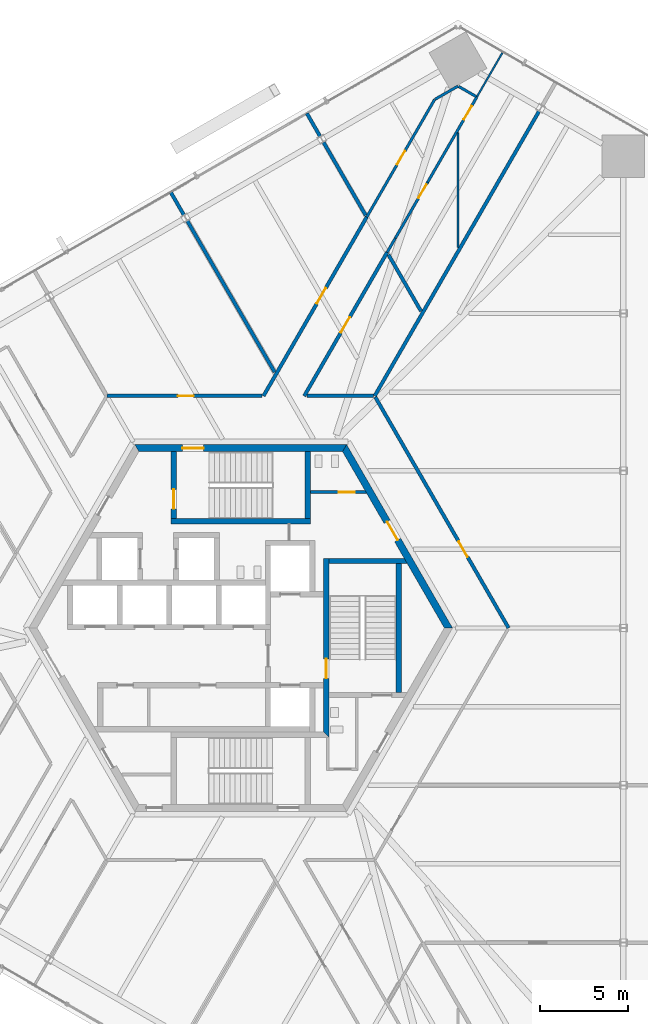
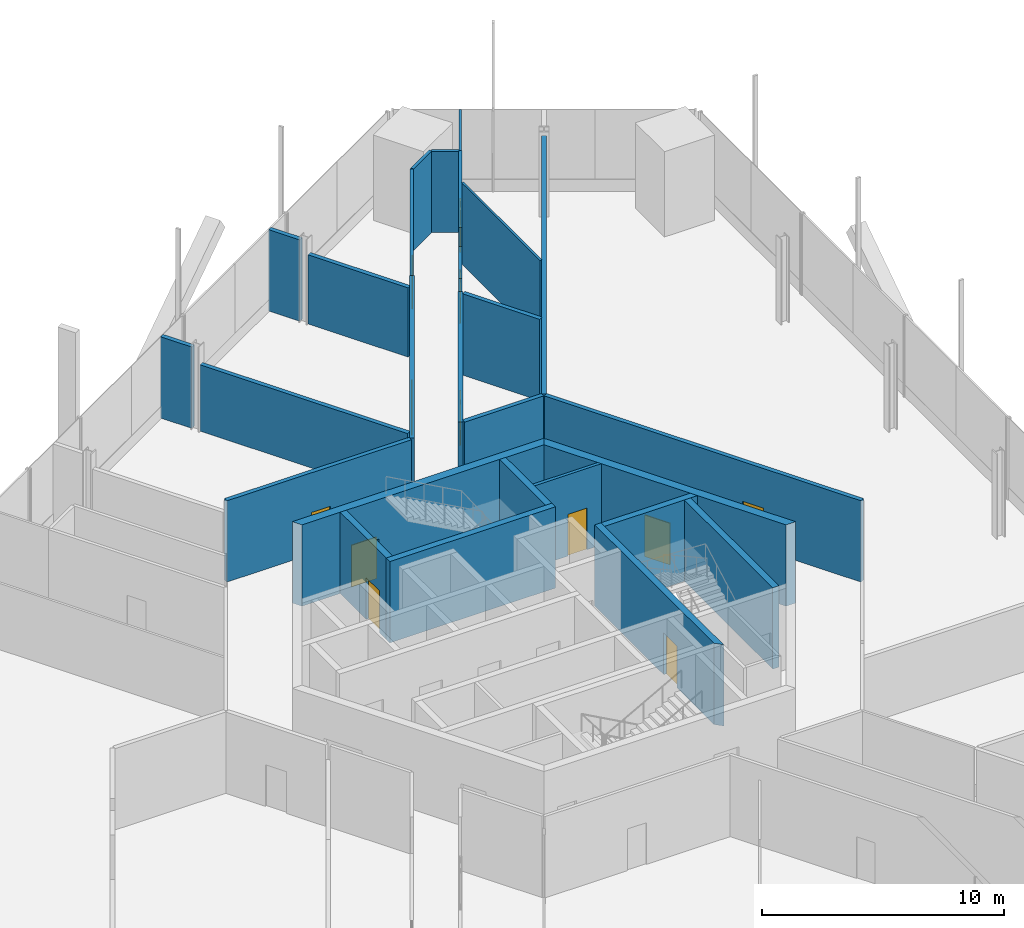
# One storey, part 13 of 19: 28 walls, 12 doors, 12 openings.
"""IFC4 building model written with IfcOpenShell, lengths in metres."""

from ifc_helpers import new_model, si_unit, direction, frame, frame_2d, origin, place, context, subcontext, project, spatial, polyline, rectangle, outline, extrude, source, transform, mapped, material, layer, layer_set, type_object, element, fill, save


model = new_model("IFC4")

# Units and contexts
model_context = context("Model", 3, precision=1e-05, world=origin(), true_north=direction((0.0, 1.0)))
body_context = subcontext(model_context, "Body", "Model", "MODEL_VIEW")
ifc_project = project(units=[si_unit("LENGTHUNIT", "METRE"), si_unit("AREAUNIT", "SQUARE_METRE"), si_unit("VOLUMEUNIT", "CUBIC_METRE"), si_unit("PLANEANGLEUNIT", "RADIAN"), si_unit("MASSUNIT", "GRAM", prefix="KILO")], contexts=[model_context])

# Site, building, storey
site_placement = place(None, origin())
site = spatial("IfcSite", under=ifc_project, at=site_placement, CompositionType="ELEMENT")
building_placement = place(site_placement, origin())
building = spatial("IfcBuilding", under=site, at=building_placement, Name="Triune Harvest Tower", CompositionType="ELEMENT")
storey_placement = place(building_placement, frame((0.0, 0.0, 41.800048828125)))
storey = spatial("IfcBuildingStorey", under=building, at=storey_placement, Name="L09", CompositionType="ELEMENT", Elevation=41.800048828125)

# Wall
ifc_material_1 = material(Name="Gypsum board on steel studs", Category="steel")
ifc_layer_1 = layer(ifc_material_1, 0.14990234375)
ifc_layer_set_1 = layer_set([ifc_layer_1], Name="Gypsum board on steel studs")
wall_type_1 = type_object("IfcWallType", Name="Fire Partition 150 mm", PredefinedType="PARTITIONING", material=ifc_layer_set_1)
wall_1_placement = place(storey_placement, frame((8.29541015625, 21.27783203125, 0.0), z_axis=(0.0, 0.0, 1.0), x_axis=(0.500002371706, 0.866024034475, 0.0)))
element("IfcWall", 1, at=wall_1_placement, inside=storey, type_object=wall_type_1, Name="Partition L09 052", PredefinedType="PARTITIONING", context=body_context, shape_type="SweptSolid", body=[
    extrude(rectangle(XDim=0.93115234375, YDim=0.14990234375, at=frame_2d((0.465576171875, 0.0))), origin(), (0.0, 0.0, 1.0), 4.099853515625),
])

# Wall, opening, door
wall_2_placement = place(storey_placement, frame((8.760986328125, 22.084228515625, 0.0), z_axis=(0.0, 0.0, 1.0), x_axis=(0.499985736139, 0.866033638872, 0.0)))
wall_2 = element("IfcWall", 2, at=wall_2_placement, inside=storey, type_object=wall_type_1, Name="Partition L09 052a", PredefinedType="PARTITIONING", context=body_context, shape_type="SweptSolid", body=[
    extrude(rectangle(XDim=3.66552734375, YDim=0.14990234375, at=frame_2d((1.832763671875, 0.0))), origin(), (0.0, 0.0, 1.0), 3.157470703125),
])
opening_1_placement = place(wall_2_placement, frame((2.615478515625, 0.0, 0.0)))
opening_1 = element("IfcOpeningElement", 3, at=opening_1_placement, cuts=wall_2, Name="Opening L09-006", PredefinedType="OPENING", context=body_context, shape_type="SweptSolid", body=[
    extrude(rectangle(XDim=0.89990234375, YDim=2.10009765625, at=frame_2d((0.449951171875, 1.050048828125))), frame((0.0, 0.0849609375, 0.0), z_axis=(0.0, -1.0, 0.0), x_axis=(1.0, 0.0, 0.0)), (0.0, 0.0, 1.0), 0.169921875),
])
ifc_material_2 = material(Name="Timber and steel door set", Category="steel")
door_type_1 = type_object("IfcDoorType", Name="Single leaf door FD30 right hand 900 x 2100", OperationType="SINGLE_SWING_RIGHT", PredefinedType="DOOR", material=ifc_material_2)
door_1_placement = place(opening_1_placement, origin())
door_1 = element("IfcDoor", 4, at=door_1_placement, inside=storey, type_object=door_type_1, Name="Door L09-006 Packing Room 09.06", OperationType="SINGLE_SWING_RIGHT", OverallHeight=2.10009765625, OverallWidth=0.89990234375, PredefinedType="DOOR", context=body_context, shape_type="SweptSolid", body=[
    extrude(rectangle(XDim=0.89990234375, YDim=2.10009765625, at=frame_2d((0.449951171875, 1.050048828125))), frame((0.0, 0.02490234375, 0.0), z_axis=(0.0, -1.0, 0.0), x_axis=(1.0, 0.0, 0.0)), (0.0, 0.0, 1.0), 0.050048828125),
])
fill(opening_1, door_1)

wall_3_placement = place(storey_placement, frame((10.59375, 25.2587890625, 0.0), z_axis=(0.0, 0.0, 1.0), x_axis=(0.500002112793, 0.866024183959, 0.0)))
wall_3 = element("IfcWall", 5, at=wall_3_placement, inside=storey, type_object=wall_type_1, Name="Partition L09 052b", PredefinedType="PARTITIONING", context=body_context, shape_type="SweptSolid", body=[
    extrude(rectangle(XDim=5.56689453125, YDim=0.14990234375, at=frame_2d((2.783447265625, 0.0))), origin(), (0.0, 0.0, 1.0), 4.099853515625),
])
opening_2_placement = place(wall_3_placement, frame((4.080810546875, 0.0, 0.0)))
opening_2 = element("IfcOpeningElement", 6, at=opening_2_placement, cuts=wall_3, Name="Opening L09-004", PredefinedType="OPENING", context=body_context, shape_type="SweptSolid", body=[
    extrude(rectangle(XDim=0.89990234375, YDim=2.10009765625, at=frame_2d((0.449951171875, 1.050048828125))), frame((0.0, 0.0849609375, 0.0), z_axis=(0.0, -1.0, 0.0), x_axis=(1.0, 0.0, 0.0)), (0.0, 0.0, 1.0), 0.169921875),
])
ifc_material_3 = material(Name="Timber and steel door set", Category="steel")
door_type_2 = type_object("IfcDoorType", Name="Single leaf door FD30 left hand 900 x 2100", OperationType="SINGLE_SWING_LEFT", PredefinedType="DOOR", material=ifc_material_3)
door_2_placement = place(opening_2_placement, origin())
door_2 = element("IfcDoor", 7, at=door_2_placement, inside=storey, type_object=door_type_2, Name="Door L09-004 Packing Room 09.04", OperationType="SINGLE_SWING_LEFT", OverallHeight=2.10009765625, OverallWidth=0.89990234375, PredefinedType="DOOR", context=body_context, shape_type="SweptSolid", body=[
    extrude(rectangle(XDim=0.89990234375, YDim=2.10009765625, at=frame_2d((0.449951171875, 1.050048828125))), frame((0.0, 0.02490234375, 0.0), z_axis=(0.0, -1.0, 0.0), x_axis=(1.0, 0.0, 0.0)), (0.0, 0.0, 1.0), 0.050048828125),
])
fill(opening_2, door_2)

wall_4_placement = place(storey_placement, frame((7.140625, 23.278076171875, 0.0), z_axis=(0.0, 0.0, 1.0), x_axis=(0.500012266612, 0.866018321537, 0.0)))
wall_4 = element("IfcWall", 8, at=wall_4_placement, inside=storey, type_object=wall_type_1, Name="Partition L09 056", PredefinedType="PARTITIONING", context=body_context, shape_type="SweptSolid", body=[
    extrude(rectangle(XDim=7.680908203125, YDim=0.14990234375, at=frame_2d((3.84033203125, 0.0))), origin(), (0.0, 0.0, 1.0), 4.099853515625),
])
opening_3_placement = place(wall_4_placement, frame((3.43310546875, 0.0, 0.0)))
opening_3 = element("IfcOpeningElement", 9, at=opening_3_placement, cuts=wall_4, Name="Opening L09-005", PredefinedType="OPENING", context=body_context, shape_type="SweptSolid", body=[
    extrude(rectangle(XDim=0.89990234375, YDim=2.10009765625, at=frame_2d((0.449951171875, 1.050048828125))), frame((0.0, 0.0849609375, 0.0), z_axis=(0.0, -1.0, 0.0), x_axis=(1.0, 0.0, 0.0)), (0.0, 0.0, 1.0), 0.169921875),
])
door_3_placement = place(opening_3_placement, origin())
door_3 = element("IfcDoor", 10, at=door_3_placement, inside=storey, type_object=door_type_1, Name="Door L09-005 Packing Room 09.05", OperationType="SINGLE_SWING_RIGHT", OverallHeight=2.10009765625, OverallWidth=0.89990234375, PredefinedType="DOOR", context=body_context, shape_type="SweptSolid", body=[
    extrude(rectangle(XDim=0.89990234375, YDim=2.10009765625, at=frame_2d((0.449951171875, 1.050048828125))), frame((0.0, 0.02490234375, 0.0), z_axis=(0.0, -1.0, 0.0), x_axis=(1.0, 0.0, 0.0)), (0.0, 0.0, 1.0), 0.050048828125),
])
fill(opening_3, door_3)

ifc_material_4 = material(Name="Gypsum board on steel studs", Category="steel")
ifc_layer_2 = layer(ifc_material_4, 0.199951171875)
ifc_layer_set_2 = layer_set([ifc_layer_2], Name="Gypsum board on steel studs")
wall_type_2 = type_object("IfcWallType", Name="Fire Wall 200 mm", PredefinedType="PARTITIONING", material=ifc_layer_set_2)
wall_5_placement = place(storey_placement, frame((7.622802734375, 13.081787109375, 0.0), z_axis=(0.0, 0.0, 1.0), x_axis=(0.499985944963, -0.866033518312, 0.0)))
wall_5 = element("IfcWall", 11, at=wall_5_placement, inside=storey, type_object=wall_type_2, Name="Partition L09 019", PredefinedType="PARTITIONING", context=body_context, shape_type="SweptSolid", body=[
    extrude(rectangle(XDim=15.10546875, YDim=0.199951171875, at=frame_2d((7.552734375, 0.0))), origin(), (0.0, 0.0, 1.0), 4.099853515625),
])
opening_4_placement = place(wall_5_placement, frame((9.455322265625, 0.0, 0.0)))
opening_4 = element("IfcOpeningElement", 12, at=opening_4_placement, cuts=wall_5, Name="Opening L09-003", PredefinedType="OPENING", context=body_context, shape_type="SweptSolid", body=[
    extrude(rectangle(XDim=1.0, YDim=2.10009765625, at=frame_2d((0.5, 1.050048828125))), frame((0.0, 0.10986328125, 0.0), z_axis=(0.0, -1.0, 0.0), x_axis=(1.0, 0.0, 0.0)), (0.0, 0.0, 1.0), 0.219970703125),
])
ifc_material_5 = material(Name="Timber and steel door set", Category="steel")
door_type_3 = type_object("IfcDoorType", Name="Wide single leaf door FD60 right hand 1000 x 2100", OperationType="SINGLE_SWING_RIGHT", PredefinedType="DOOR", material=ifc_material_5)
door_4_placement = place(opening_4_placement, origin())
door_4 = element("IfcDoor", 13, at=door_4_placement, inside=storey, type_object=door_type_3, Name="Door L09-003 Strawberry Growing Room 09.03", OperationType="SINGLE_SWING_RIGHT", OverallHeight=2.10009765625, OverallWidth=1.0, PredefinedType="DOOR", context=body_context, shape_type="SweptSolid", body=[
    extrude(rectangle(XDim=1.0, YDim=2.10009765625, at=frame_2d((0.5, 1.050048828125))), frame((0.0, 0.02490234375, 0.0), z_axis=(0.0, -1.0, 0.0), x_axis=(1.0, 0.0, 0.0)), (0.0, 0.0, 1.0), 0.050048828125),
])
fill(opening_4, door_4)

# Walls
wall_6_placement = place(storey_placement, frame((3.74658203125, 29.150390625, 0.0), z_axis=(0.0, 0.0, 1.0), x_axis=(0.500027927039, -0.866009279501, 0.0)))
element("IfcWall", 14, at=wall_6_placement, inside=storey, type_object=wall_type_2, Name="Partition L09 020", PredefinedType="PARTITIONING", context=body_context, shape_type="SweptSolid", body=[
    extrude(rectangle(XDim=1.4990234375, YDim=0.199951171875, at=frame_2d((0.74951171875, 0.0))), origin(), (0.0, 0.0, 1.0), 4.099853515625),
])
wall_7_placement = place(storey_placement, frame((8.36865234375, 21.14501953125, 0.0), z_axis=(0.0, 0.0, 1.0), x_axis=(0.499982117899, -0.866035727774, 0.0)))
element("IfcWall", 15, at=wall_7_placement, inside=storey, type_object=wall_type_2, Name="Partition L09 022", PredefinedType="PARTITIONING", context=body_context, shape_type="SweptSolid", body=[
    extrude(rectangle(XDim=3.689697265625, YDim=0.199951171875, at=frame_2d((1.8447265625, 0.0))), origin(), (0.0, 0.0, 1.0), 4.099853515625),
])

# Wall, opening, door
wall_8_placement = place(storey_placement, frame((-7.587646484375, 13.142333984375, 0.0), z_axis=(0.0, 0.0, 1.0), x_axis=(1.0, 0.0, 0.0)))
wall_8 = element("IfcWall", 16, at=wall_8_placement, inside=storey, type_object=wall_type_2, Name="Partition L09 033", PredefinedType="PARTITIONING", context=body_context, shape_type="SweptSolid", body=[
    extrude(rectangle(XDim=8.806640625, YDim=0.199951171875, at=frame_2d((4.4033203125, 0.0))), origin(), (0.0, 0.0, 1.0), 4.099853515625),
])
opening_5_placement = place(wall_8_placement, frame((4.026611328125, 0.0, 0.0)))
opening_5 = element("IfcOpeningElement", 17, at=opening_5_placement, cuts=wall_8, Name="Opening L09-009", PredefinedType="OPENING", context=body_context, shape_type="SweptSolid", body=[
    extrude(rectangle(XDim=0.89990234375, YDim=2.10009765625, at=frame_2d((0.449951171875, 1.050048828125))), frame((0.0, 0.10986328125, 0.0), z_axis=(0.0, -1.0, 0.0), x_axis=(1.0, 0.0, 0.0)), (0.0, 0.0, 1.0), 0.219970703125),
])
ifc_material_6 = material(Name="Timber and steel door set", Category="steel")
door_type_4 = type_object("IfcDoorType", Name="Single leaf door FD60 right hand 900 x 2100", OperationType="SINGLE_SWING_RIGHT", PredefinedType="DOOR", material=ifc_material_6)
door_5_placement = place(opening_5_placement, origin())
door_5 = element("IfcDoor", 18, at=door_5_placement, inside=storey, type_object=door_type_4, Name="Door L09-009 Chiller Room 09.09", OperationType="SINGLE_SWING_RIGHT", OverallHeight=2.10009765625, OverallWidth=0.89990234375, PredefinedType="DOOR", context=body_context, shape_type="SweptSolid", body=[
    extrude(rectangle(XDim=0.89990234375, YDim=2.10009765625, at=frame_2d((0.449951171875, 1.050048828125))), frame((0.0, 0.02490234375, 0.0), z_axis=(0.0, -1.0, 0.0), x_axis=(1.0, 0.0, 0.0)), (0.0, 0.0, 1.0), 0.050048828125),
])
fill(opening_5, door_5)

# Walls
wall_9_placement = place(storey_placement, frame((3.748291015625, 13.142333984375, 0.0), z_axis=(0.0, 0.0, 1.0), x_axis=(1.0, 0.0, 0.0)))
element("IfcWall", 19, at=wall_9_placement, inside=storey, type_object=wall_type_2, Name="Partition L09 034", PredefinedType="PARTITIONING", context=body_context, shape_type="SweptSolid", body=[
    extrude(rectangle(XDim=3.769287109375, YDim=0.199951171875, at=frame_2d((1.884765625, 0.0))), origin(), (0.0, 0.0, 1.0), 4.099853515625),
])
wall_10_placement = place(storey_placement, frame((7.587646484375, 13.142333984375, 0.0), z_axis=(0.0, 0.0, 1.0), x_axis=(0.500005822324, 0.866022042238, 0.0)))
element("IfcWall", 20, at=wall_10_placement, inside=storey, type_object=wall_type_2, Name="Partition L09 047", PredefinedType="PARTITIONING", context=body_context, shape_type="SweptSolid", body=[
    extrude(rectangle(XDim=18.619873046875, YDim=0.199951171875, at=frame_2d((9.31005859375, 0.0))), origin(), (0.0, 0.0, 1.0), 4.099853515625),
])

# Wall, opening, door
wall_11_placement = place(storey_placement, frame((3.598388671875, 13.14208984375, 0.0), z_axis=(0.0, 0.0, 1.0), x_axis=(0.499987908195, 0.866032384879, 0.0)))
wall_11 = element("IfcWall", 21, at=wall_11_placement, inside=storey, type_object=wall_type_2, Name="Partition L09 051", PredefinedType="PARTITIONING", context=body_context, shape_type="SweptSolid", body=[
    extrude(rectangle(XDim=9.394287109375, YDim=0.199951171875, at=frame_2d((4.697265625, 0.0))), origin(), (0.0, 0.0, 1.0), 4.099853515625),
])
opening_6_placement = place(wall_11_placement, frame((4.150146484375, 0.0, 0.0)))
opening_6 = element("IfcOpeningElement", 22, at=opening_6_placement, cuts=wall_11, Name="Opening L09-008", PredefinedType="OPENING", context=body_context, shape_type="SweptSolid", body=[
    extrude(rectangle(XDim=1.0, YDim=2.10009765625, at=frame_2d((0.5, 1.050048828125))), frame((0.0, 0.10986328125, 0.0), z_axis=(0.0, -1.0, 0.0), x_axis=(1.0, 0.0, 0.0)), (0.0, 0.0, 1.0), 0.219970703125),
])
door_6_placement = place(opening_6_placement, origin())
door_6 = element("IfcDoor", 23, at=door_6_placement, inside=storey, type_object=door_type_3, Name="Door L09-008 Strawberry Growing Room 09.08", OperationType="SINGLE_SWING_RIGHT", OverallHeight=2.10009765625, OverallWidth=1.0, PredefinedType="DOOR", context=body_context, shape_type="SweptSolid", body=[
    extrude(rectangle(XDim=1.0, YDim=2.10009765625, at=frame_2d((0.5, 1.050048828125))), frame((0.0, 0.02490234375, 0.0), z_axis=(0.0, -1.0, 0.0), x_axis=(1.0, 0.0, 0.0)), (0.0, 0.0, 1.0), 0.050048828125),
])
fill(opening_6, door_6)

wall_12_placement = place(storey_placement, frame((1.288818359375, 13.142333984375, 0.0), z_axis=(0.0, 0.0, 1.0), x_axis=(0.499995716753, 0.866027876704, 0.0)))
wall_12 = element("IfcWall", 24, at=wall_12_placement, inside=storey, type_object=wall_type_2, Name="Partition L09 055", PredefinedType="PARTITIONING", context=body_context, shape_type="SweptSolid", body=[
    extrude(rectangle(XDim=11.70361328125, YDim=0.199951171875, at=frame_2d((5.851806640625, 0.0))), origin(), (0.0, 0.0, 1.0), 4.099853515625),
])
opening_7_placement = place(wall_12_placement, frame((6.05029296875, 0.0, 0.0)))
opening_7 = element("IfcOpeningElement", 25, at=opening_7_placement, cuts=wall_12, Name="Opening L09-007", PredefinedType="OPENING", context=body_context, shape_type="SweptSolid", body=[
    extrude(rectangle(XDim=1.0, YDim=2.10009765625, at=frame_2d((0.5, 1.050048828125))), frame((0.0, 0.10986328125, 0.0), z_axis=(0.0, -1.0, 0.0), x_axis=(1.0, 0.0, 0.0)), (0.0, 0.0, 1.0), 0.219970703125),
])
door_7_placement = place(opening_7_placement, origin())
door_7 = element("IfcDoor", 26, at=door_7_placement, inside=storey, type_object=door_type_3, Name="Door L09-007 Strawberry Growing Room 09.07", OperationType="SINGLE_SWING_RIGHT", OverallHeight=2.10009765625, OverallWidth=1.0, PredefinedType="DOOR", context=body_context, shape_type="SweptSolid", body=[
    extrude(rectangle(XDim=1.0, YDim=2.10009765625, at=frame_2d((0.5, 1.050048828125))), frame((0.0, 0.02490234375, 0.0), z_axis=(0.0, -1.0, 0.0), x_axis=(1.0, 0.0, 0.0)), (0.0, 0.0, 1.0), 0.050048828125),
])
fill(opening_7, door_7)

# Wall
ifc_material_7 = material(Name="Gypsum board on steel studs", Category="steel")
ifc_layer_3 = layer(ifc_material_7, 0.10009765625)
ifc_layer_set_3 = layer_set([ifc_layer_3], Name="Gypsum board on steel studs")
wall_type_3 = type_object("IfcWallType", Name="Partition 100 mm", PredefinedType="PARTITIONING", material=ifc_layer_set_3)
wall_13_placement = place(storey_placement, frame((12.30908203125, 21.56005859375, 0.0), z_axis=(0.0, 0.0, 1.0), x_axis=(0.0, 1.0, 0.0)))
element("IfcWall", 27, at=wall_13_placement, inside=storey, type_object=wall_type_3, Name="Partition L09 064", PredefinedType="PARTITIONING", context=body_context, shape_type="SweptSolid", body=[
    extrude(rectangle(XDim=6.479736328125, YDim=0.10009765625, at=frame_2d((3.23974609375, 0.0))), origin(), (0.0, 0.0, 1.0), 4.099853515625),
])

# Wall, opening, door
ifc_material_8 = material(Name="Concrete 70 MPa", Category="concrete")
ifc_layer_4 = layer(ifc_material_8, 0.39990234375)
ifc_layer_set_4 = layer_set([ifc_layer_4], Name="Concrete 70 MPa")
wall_type_4 = type_object("IfcWallType", Name="Core wall 400", PredefinedType="SHEAR", material=ifc_layer_set_4)
shared_shape_1 = source(origin(), body_context, "Body", "SweptSolid", [
    extrude(outline(polyline([(-0.115478515625, -0.199951171875), (11.884521484375, -0.199951171875), (11.653564453125, 0.199951171875), (0.115478515625, 0.199951171875), (-0.115478515625, -0.199951171875)])), origin(), (0.0, 0.0, 1.0), 4.099853515625),
])
wall_14_placement = place(storey_placement, frame((11.76904296875, 0.0, 0.0), z_axis=(0.0, 0.0, 1.0), x_axis=(-0.499996592174, 0.866027371285, 0.0)))
wall_14 = element("IfcWall", 28, at=wall_14_placement, inside=storey, type_object=wall_type_4, Name="Hexagon 0 wall", PredefinedType="SHEAR", context=body_context, shape_type="MappedRepresentation", body=[
    mapped(shared_shape_1, transform((0.0, 0.0, 0.0), scale=1.0)),
])
opening_8_placement = place(wall_14_placement, frame((5.75048828125, 0.0, 0.0)))
opening_8 = element("IfcOpeningElement", 29, at=opening_8_placement, cuts=wall_14, Name="Opening CD-WCP", PredefinedType="OPENING", context=body_context, shape_type="SweptSolid", body=[
    extrude(rectangle(XDim=1.199951171875, YDim=2.10009765625, at=frame_2d((0.60009765625, 1.050048828125))), frame((0.0, 0.2099609375, 0.0), z_axis=(0.0, -1.0, 0.0), x_axis=(1.0, 0.0, 0.0)), (0.0, 0.0, 1.0), 0.419921875),
])
ifc_material_9 = material(Name="Steel S235", Category="steel")
door_type_5 = type_object("IfcDoorType", Name="Lobby door 1200 FD120", OperationType="SINGLE_SWING_LEFT", PredefinedType="DOOR", material=ifc_material_9)
door_8_placement = place(opening_8_placement, frame((1.199951171875, 0.0, 0.0), z_axis=(0.0, 0.0, 1.0), x_axis=(-1.0, 0.0, 0.0)))
door_8 = element("IfcDoor", 30, at=door_8_placement, inside=storey, type_object=door_type_5, Name="Door CD-WCP", OperationType="SINGLE_SWING_RIGHT", OverallHeight=2.10009765625, OverallWidth=1.199951171875, PredefinedType="DOOR", context=body_context, shape_type="SweptSolid", body=[
    extrude(rectangle(XDim=1.199951171875, YDim=2.10009765625, at=frame_2d((0.60009765625, 1.050048828125))), frame((0.0, 0.02490234375, 0.0), z_axis=(0.0, -1.0, 0.0), x_axis=(1.0, 0.0, 0.0)), (0.0, 0.0, 1.0), 0.050048828125),
])
fill(opening_8, door_8)

wall_15_placement = place(storey_placement, frame((5.884521484375, 10.1923828125, 0.0), z_axis=(0.0, 0.0, 1.0), x_axis=(-1.0, 0.0, 0.0)))
wall_15 = element("IfcWall", 31, at=wall_15_placement, inside=storey, type_object=wall_type_4, Name="Hexagon 1 wall", PredefinedType="SHEAR", context=body_context, shape_type="MappedRepresentation", body=[
    mapped(shared_shape_1, transform((0.0, 0.0, 0.0), scale=1.0)),
])
opening_9_placement = place(wall_15_placement, frame((7.984619140625, 0.0, 0.0)))
opening_9 = element("IfcOpeningElement", 32, at=opening_9_placement, cuts=wall_15, Name="Opening CD-S1P", PredefinedType="OPENING", context=body_context, shape_type="SweptSolid", body=[
    extrude(rectangle(XDim=1.199951171875, YDim=2.10009765625, at=frame_2d((0.60009765625, 1.050048828125))), frame((0.0, 0.2099609375, 0.0), z_axis=(0.0, -1.0, 0.0), x_axis=(1.0, 0.0, 0.0)), (0.0, 0.0, 1.0), 0.419921875),
])
ifc_material_10 = material(Name="Steel S235", Category="steel")
door_type_6 = type_object("IfcDoorType", Name="Stair door 1200 FD120", OperationType="SINGLE_SWING_LEFT", PredefinedType="DOOR", material=ifc_material_10)
door_9_placement = place(opening_9_placement, frame((1.199951171875, 0.0, 0.0), z_axis=(0.0, 0.0, 1.0), x_axis=(-1.0, 0.0, 0.0)))
door_9 = element("IfcDoor", 33, at=door_9_placement, inside=storey, type_object=door_type_6, Name="Door CD-S1P", OperationType="SINGLE_SWING_RIGHT", OverallHeight=2.10009765625, OverallWidth=1.199951171875, PredefinedType="DOOR", context=body_context, shape_type="SweptSolid", body=[
    extrude(rectangle(XDim=1.199951171875, YDim=2.10009765625, at=frame_2d((0.60009765625, 1.050048828125))), frame((0.0, 0.02490234375, 0.0), z_axis=(0.0, -1.0, 0.0), x_axis=(1.0, 0.0, 0.0)), (0.0, 0.0, 1.0), 0.050048828125),
])
fill(opening_9, door_9)

ifc_material_11 = material(Name="Concrete 70 MPa", Category="concrete")
ifc_layer_5 = layer(ifc_material_11, 0.300048828125)
ifc_layer_set_5 = layer_set([ifc_layer_5], Name="Concrete 70 MPa")
wall_type_5 = type_object("IfcWallType", Name="Core wall 300", PredefinedType="SHEAR", material=ifc_layer_set_5)
shared_shape_2 = source(origin(), body_context, "Body", "SweptSolid", [
    extrude(outline(polyline([(-0.14990234375, -0.14990234375), (9.989990234375, -0.14990234375), (9.989990234375, 0.14990234375), (0.14990234375, 0.14990234375), (-0.14990234375, -0.14990234375)])), origin(), (0.0, 0.0, 1.0), 4.099853515625),
])
wall_16_placement = place(storey_placement, frame((4.85009765625, -6.0400390625, 0.0), z_axis=(0.0, 0.0, 1.0), x_axis=(0.0, 1.0, 0.0)))
wall_16 = element("IfcWall", 34, at=wall_16_placement, inside=storey, type_object=wall_type_5, Name="Stair e west wall", PredefinedType="SHEAR", context=body_context, shape_type="MappedRepresentation", body=[
    mapped(shared_shape_2, transform((0.0, 0.0, 0.0), scale=1.0)),
])
opening_10_placement = place(wall_16_placement, frame((3.18994140625, 0.0, 0.0)))
opening_10 = element("IfcOpeningElement", 35, at=opening_10_placement, cuts=wall_16, Name="Opening CD-S3L", PredefinedType="OPENING", context=body_context, shape_type="SweptSolid", body=[
    extrude(rectangle(XDim=1.10009765625, YDim=2.10009765625, at=frame_2d((0.550048828125, 1.050048828125))), frame((0.0, 0.16015625, 0.0), z_axis=(0.0, -1.0, 0.0), x_axis=(1.0, 0.0, 0.0)), (0.0, 0.0, 1.0), 0.320068359375),
])
ifc_material_12 = material(Name="Steel S235", Category="steel")
door_type_7 = type_object("IfcDoorType", Name="Stair door 1100 FD120", OperationType="SINGLE_SWING_LEFT", PredefinedType="DOOR", material=ifc_material_12)
door_10_placement = place(opening_10_placement, frame((1.10009765625, 0.0, 0.0), z_axis=(0.0, 0.0, 1.0), x_axis=(-1.0, 0.0, 0.0)))
door_10 = element("IfcDoor", 36, at=door_10_placement, inside=storey, type_object=door_type_7, Name="Door CD-S3L", OperationType="SINGLE_SWING_RIGHT", OverallHeight=2.10009765625, OverallWidth=1.10009765625, PredefinedType="DOOR", context=body_context, shape_type="SweptSolid", body=[
    extrude(rectangle(XDim=1.10009765625, YDim=2.10009765625, at=frame_2d((0.550048828125, 1.050048828125))), frame((0.0, 0.02490234375, 0.0), z_axis=(0.0, -1.0, 0.0), x_axis=(1.0, 0.0, 0.0)), (0.0, 0.0, 1.0), 0.050048828125),
])
fill(opening_10, door_10)

# Walls
shared_shape_3 = source(origin(), body_context, "Body", "SweptSolid", [
    extrude(outline(polyline([(0.0, -0.14990234375), (0.0, 0.14990234375), (4.260009765625, 0.14990234375), (4.43310546875, -0.14990234375), (0.0, -0.14990234375)])), origin(), (0.0, 0.0, 1.0), 4.099853515625),
])
wall_17_placement = place(storey_placement, frame((5.0, 3.800048828125, 0.0), z_axis=(0.0, 0.0, 1.0), x_axis=(1.0, 0.0, 0.0)))
element("IfcWall", 37, at=wall_17_placement, inside=storey, type_object=wall_type_5, Name="Stair e north wall", PredefinedType="SHEAR", context=body_context, shape_type="MappedRepresentation", body=[
    mapped(shared_shape_3, transform((0.0, 0.0, 0.0), scale=1.0)),
])
shared_shape_4 = source(origin(), body_context, "Body", "SweptSolid", [
    extrude(rectangle(XDim=7.2998046875, YDim=0.300048828125, at=frame_2d((3.64990234375, 0.0))), origin(), (0.0, 0.0, 1.0), 4.099853515625),
])
wall_18_placement = place(storey_placement, frame((8.949951171875, -3.64990234375, 0.0), z_axis=(0.0, 0.0, 1.0), x_axis=(0.0, 1.0, 0.0)))
element("IfcWall", 38, at=wall_18_placement, inside=storey, type_object=wall_type_5, Name="Stair e east wall", PredefinedType="SHEAR", context=body_context, shape_type="MappedRepresentation", body=[
    mapped(shared_shape_4, transform((0.0, 0.0, 0.0), scale=1.0)),
])
shared_shape_5 = source(origin(), body_context, "Body", "SweptSolid", [
    extrude(rectangle(XDim=7.89990234375, YDim=0.300048828125, at=frame_2d((3.949951171875, 0.0))), origin(), (0.0, 0.0, 1.0), 4.099853515625),
])
wall_19_placement = place(storey_placement, frame((-3.949951171875, 6.0400390625, 0.0), z_axis=(0.0, 0.0, 1.0), x_axis=(1.0, 0.0, 0.0)))
element("IfcWall", 39, at=wall_19_placement, inside=storey, type_object=wall_type_5, Name="Stair n south wall", PredefinedType="SHEAR", context=body_context, shape_type="MappedRepresentation", body=[
    mapped(shared_shape_5, transform((0.0, 0.0, 0.0), scale=1.0)),
])

# Wall, opening, door
shared_shape_6 = source(origin(), body_context, "Body", "SweptSolid", [
    extrude(outline(polyline([(0.0, -0.14990234375), (0.0, 0.14990234375), (3.80419921875, 0.14990234375), (3.80419921875, -0.14990234375), (0.0, -0.14990234375)])), origin(), (0.0, 0.0, 1.0), 4.099853515625),
])
wall_20_placement = place(storey_placement, frame((-3.800048828125, 6.18994140625, 0.0), z_axis=(0.0, 0.0, 1.0), x_axis=(0.0, 1.0, 0.0)))
wall_20 = element("IfcWall", 40, at=wall_20_placement, inside=storey, type_object=wall_type_5, Name="Stair n west wall", PredefinedType="SHEAR", context=body_context, shape_type="MappedRepresentation", body=[
    mapped(shared_shape_6, transform((0.0, 0.0, 0.0), scale=1.0)),
])
opening_11_placement = place(wall_20_placement, frame((0.56005859375, 0.0, 0.0)))
opening_11 = element("IfcOpeningElement", 41, at=opening_11_placement, cuts=wall_20, Name="Opening CD-S1L", PredefinedType="OPENING", context=body_context, shape_type="SweptSolid", body=[
    extrude(rectangle(XDim=1.10009765625, YDim=2.10009765625, at=frame_2d((0.550048828125, 1.050048828125))), frame((0.0, 0.16015625, 0.0), z_axis=(0.0, -1.0, 0.0), x_axis=(1.0, 0.0, 0.0)), (0.0, 0.0, 1.0), 0.320068359375),
])
door_11_placement = place(opening_11_placement, frame((1.10009765625, 0.0, 0.0), z_axis=(0.0, 0.0, 1.0), x_axis=(-1.0, 0.0, 0.0)))
door_11 = element("IfcDoor", 42, at=door_11_placement, inside=storey, type_object=door_type_7, Name="Door CD-S1L", OperationType="SINGLE_SWING_RIGHT", OverallHeight=2.10009765625, OverallWidth=1.10009765625, PredefinedType="DOOR", context=body_context, shape_type="SweptSolid", body=[
    extrude(rectangle(XDim=1.10009765625, YDim=2.10009765625, at=frame_2d((0.550048828125, 1.050048828125))), frame((0.0, 0.02490234375, 0.0), z_axis=(0.0, -1.0, 0.0), x_axis=(1.0, 0.0, 0.0)), (0.0, 0.0, 1.0), 0.050048828125),
])
fill(opening_11, door_11)

# Wall
wall_21_placement = place(storey_placement, frame((3.800048828125, 6.18994140625, 0.0), z_axis=(0.0, 0.0, 1.0), x_axis=(0.0, 1.0, 0.0)))
element("IfcWall", 43, at=wall_21_placement, inside=storey, type_object=wall_type_5, Name="Stair n east wall", PredefinedType="SHEAR", context=body_context, shape_type="MappedRepresentation", body=[
    mapped(shared_shape_6, transform((0.0, 0.0, 0.0), scale=1.0)),
])

# Wall, opening, door
ifc_material_13 = material(Name="Concrete masonry unit", Category="masonry")
ifc_layer_6 = layer(ifc_material_13, 0.14990234375)
ifc_layer_set_6 = layer_set([ifc_layer_6], Name="Concrete masonry unit")
wall_type_6 = type_object("IfcWallType", Name="Block partition 150 unrated", PredefinedType="PARTITIONING", material=ifc_layer_set_6)
shared_shape_7 = source(origin(), body_context, "Body", "SweptSolid", [
    extrude(outline(polyline([(0.0, -0.074951171875), (0.0, 0.074951171875), (3.1015625, 0.074951171875), (3.18798828125, -0.074951171875), (0.0, -0.074951171875)])), origin(), (0.0, 0.0, 1.0), 4.099853515625),
])
wall_22_placement = place(storey_placement, frame((3.949951171875, 7.699951171875, 0.0), z_axis=(0.0, 0.0, 1.0), x_axis=(1.0, 0.0, 0.0)))
wall_22 = element("IfcWall", 44, at=wall_22_placement, inside=storey, type_object=wall_type_6, Name="Wc women south wall", PredefinedType="PARTITIONING", context=body_context, shape_type="MappedRepresentation", body=[
    mapped(shared_shape_7, transform((0.0, 0.0, 0.0), scale=1.0)),
])
opening_12_placement = place(wall_22_placement, frame((1.60009765625, 0.0, 0.0)))
opening_12 = element("IfcOpeningElement", 45, at=opening_12_placement, cuts=wall_22, Name="Opening CD-WW", PredefinedType="OPENING", context=body_context, shape_type="SweptSolid", body=[
    extrude(rectangle(XDim=0.89990234375, YDim=2.10009765625, at=frame_2d((0.449951171875, 1.050048828125))), frame((0.0, 0.0849609375, 0.0), z_axis=(0.0, -1.0, 0.0), x_axis=(1.0, 0.0, 0.0)), (0.0, 0.0, 1.0), 0.169921875),
])
ifc_material_14 = material(Name="Timber C24", Category="wood")
door_type_8 = type_object("IfcDoorType", Name="WC door 900", OperationType="SINGLE_SWING_LEFT", PredefinedType="DOOR", material=ifc_material_14)
door_12_placement = place(opening_12_placement, origin())
door_12 = element("IfcDoor", 46, at=door_12_placement, inside=storey, type_object=door_type_8, Name="Door CD-WW", OperationType="SINGLE_SWING_LEFT", OverallHeight=2.10009765625, OverallWidth=0.89990234375, PredefinedType="DOOR", context=body_context, shape_type="SweptSolid", body=[
    extrude(rectangle(XDim=0.89990234375, YDim=2.10009765625, at=frame_2d((0.449951171875, 1.050048828125))), frame((0.0, 0.02490234375, 0.0), z_axis=(0.0, -1.0, 0.0), x_axis=(1.0, 0.0, 0.0)), (0.0, 0.0, 1.0), 0.050048828125),
])
fill(opening_12, door_12)

# Walls
shared_shape_8 = source(origin(), body_context, "Body", "SweptSolid", [
    extrude(rectangle(XDim=1.498779296875, YDim=0.199951171875, at=frame_2d((0.74951171875, 0.0))), origin(), (0.0, 0.0, 1.0), 4.099853515625),
])
wall_23_placement = place(storey_placement, frame((-3.969482421875, 24.6953125, 0.0), z_axis=(0.0, 0.0, 1.0), x_axis=(0.499905760005, -0.866079806435, 0.0)))
element("IfcWall", 47, at=wall_23_placement, inside=storey, type_object=wall_type_2, Name="Partition L09 017", PredefinedType="PARTITIONING", context=body_context, shape_type="MappedRepresentation", body=[
    mapped(shared_shape_8, transform((0.0, 0.0, 0.0), scale=1.0)),
])
shared_shape_9 = source(origin(), body_context, "Body", "SweptSolid", [
    extrude(rectangle(XDim=2.94091796875, YDim=0.10009765625, at=frame_2d((1.470458984375, 0.0))), origin(), (0.0, 0.0, 1.0), 4.099853515625),
])
wall_24_placement = place(storey_placement, frame((13.377685546875, 30.080810546875, 0.0), z_axis=(0.0, 0.0, 1.0), x_axis=(0.500005104963, 0.866022456413, 0.0)))
element("IfcWall", 48, at=wall_24_placement, inside=storey, type_object=wall_type_3, Name="Partition L09 053", PredefinedType="PARTITIONING", context=body_context, shape_type="MappedRepresentation", body=[
    mapped(shared_shape_9, transform((0.0, 0.0, 0.0), scale=1.0)),
])
shared_shape_10 = source(origin(), body_context, "Body", "SweptSolid", [
    extrude(rectangle(XDim=9.893310546875, YDim=0.199951171875, at=frame_2d((4.94677734375, 0.0))), origin(), (0.0, 0.0, 1.0), 3.343017578125),
])
wall_25_placement = place(storey_placement, frame((-3.02685546875, 23.062744140625, 0.0), z_axis=(0.0, 0.0, 1.0), x_axis=(0.499990184253, -0.866031070834, 0.0)))
element("IfcWall", 49, at=wall_25_placement, inside=storey, type_object=wall_type_2, Name="Partition L09 018", PredefinedType="PARTITIONING", context=body_context, shape_type="MappedRepresentation", body=[
    mapped(shared_shape_10, transform((0.0, 0.0, 0.0), scale=1.0)),
])
shared_shape_11 = source(origin(), body_context, "Body", "SweptSolid", [
    extrude(rectangle(XDim=4.77880859375, YDim=0.199951171875, at=frame_2d((2.389404296875, 0.0))), origin(), (0.0, 0.0, 1.0), 3.48779296875),
])
wall_26_placement = place(storey_placement, frame((4.689453125, 27.517578125, 0.0), z_axis=(0.0, 0.0, 1.0), x_axis=(0.499990736708, -0.866030751883, 0.0)))
element("IfcWall", 50, at=wall_26_placement, inside=storey, type_object=wall_type_2, Name="Partition L09 021", PredefinedType="PARTITIONING", context=body_context, shape_type="MappedRepresentation", body=[
    mapped(shared_shape_11, transform((0.0, 0.0, 0.0), scale=1.0)),
])
shared_shape_12 = source(origin(), body_context, "Body", "SweptSolid", [
    extrude(rectangle(XDim=1.51318359375, YDim=0.14990234375, at=frame_2d((0.756591796875, 0.0))), origin(), (0.0, 0.0, 1.0), 4.099853515625),
])
wall_27_placement = place(storey_placement, frame((10.998046875, 29.93994140625, 0.0), z_axis=(0.0, 0.0, 1.0), x_axis=(0.866040510187, 0.49997383403, 0.0)))
element("IfcWall", 51, at=wall_27_placement, inside=storey, type_object=wall_type_1, Name="Partition L09 037", PredefinedType="PARTITIONING", context=body_context, shape_type="MappedRepresentation", body=[
    mapped(shared_shape_12, transform((0.0, 0.0, 0.0), scale=1.0)),
])
shared_shape_13 = source(origin(), body_context, "Body", "SweptSolid", [
    extrude(rectangle(XDim=1.133544921875, YDim=0.14990234375, at=frame_2d((0.56689453125, 0.0))), origin(), (0.0, 0.0, 1.0), 4.099853515625),
])
wall_28_placement = place(storey_placement, frame((12.352294921875, 30.671630859375, 0.0), z_axis=(0.0, 0.0, 1.0), x_axis=(0.866074404425, -0.499915118794, 0.0)))
element("IfcWall", 52, at=wall_28_placement, inside=storey, type_object=wall_type_1, Name="Partition L09 025", PredefinedType="PARTITIONING", context=body_context, shape_type="MappedRepresentation", body=[
    mapped(shared_shape_13, transform((0.0, 0.0, 0.0), scale=1.0)),
])

save(model, "model.ifc")
